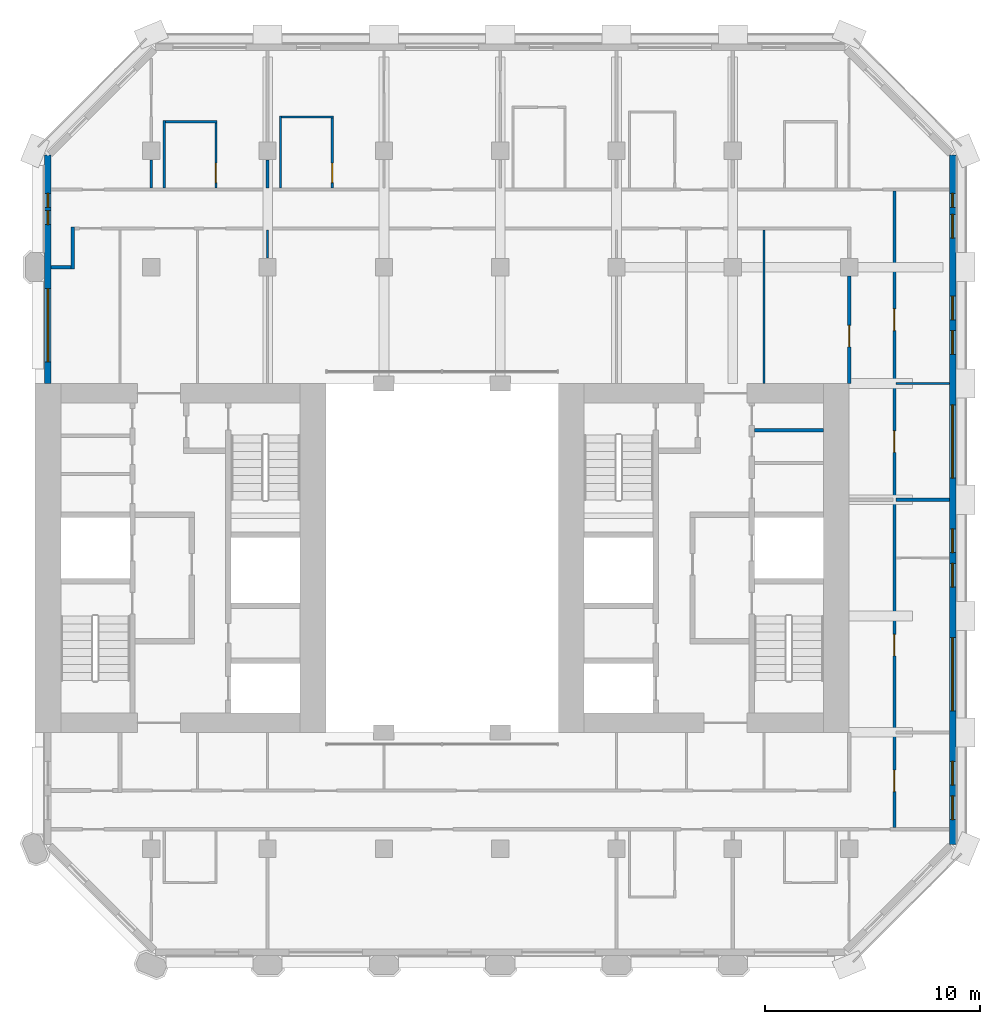
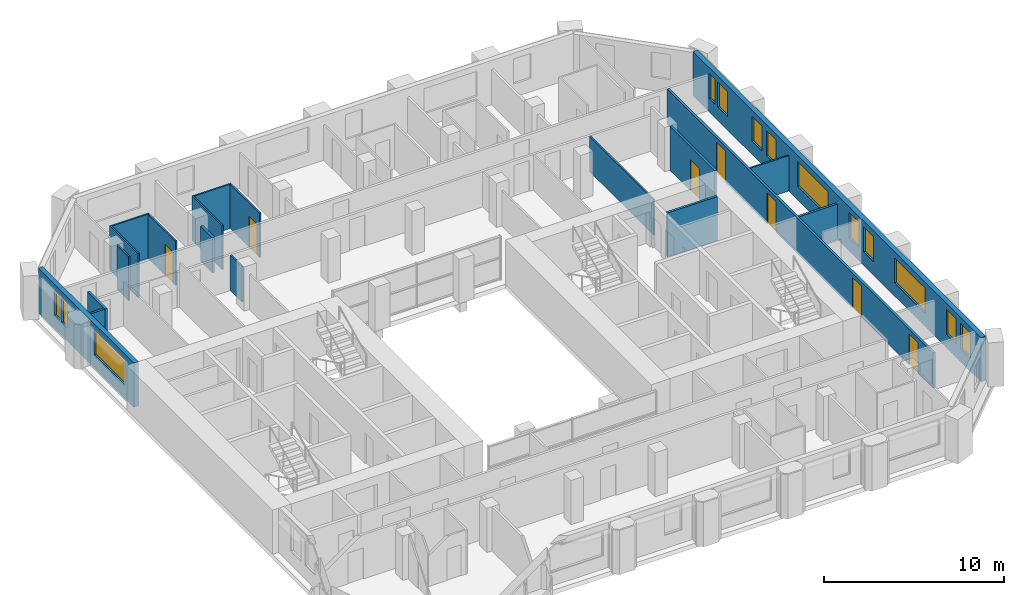
# One storey, part 7 of 12: 19 walls, 13 windows, 7 doors, 20 openings.
"""IFC4 building model written with IfcOpenShell, lengths in metres."""

from ifc_helpers import new_model, si_unit, direction, frame, frame_2d, origin, place, context, subcontext, project, spatial, rectangle, extrude, material, layer, layer_set, type_object, element, fill, save


model = new_model("IFC4")

# Units and contexts
model_context = context("Model", 3, precision=1e-05, world=origin(), true_north=direction((0.0, 1.0)))
body_context = subcontext(model_context, "Body", "Model", "MODEL_VIEW")
ifc_project = project(units=[si_unit("LENGTHUNIT", "METRE"), si_unit("AREAUNIT", "SQUARE_METRE"), si_unit("VOLUMEUNIT", "CUBIC_METRE"), si_unit("PLANEANGLEUNIT", "RADIAN"), si_unit("MASSUNIT", "GRAM", prefix="KILO")], contexts=[model_context])

# Site, building, storey
site_placement = place(None, origin())
site = spatial("IfcSite", under=ifc_project, at=site_placement, CompositionType="ELEMENT")
building_placement = place(site_placement, origin())
building = spatial("IfcBuilding", under=site, at=building_placement, Name="Tabaq Tower and Sports Hall", CompositionType="ELEMENT")
storey_placement = place(building_placement, frame((0.0, 0.0, 190.60009765625)))
storey = spatial("IfcBuildingStorey", under=building, at=storey_placement, Name="L46", CompositionType="ELEMENT", Elevation=190.60009765625)

# Walls
ifc_material_1 = material(Name="Blockwork", Category="masonry")
ifc_layer_1 = layer(ifc_material_1, 0.14990234375)
ifc_layer_set_1 = layer_set([ifc_layer_1], Name="Core room partition 150 Blockwork")
wall_type_1 = type_object("IfcWallType", Name="Core room partition 150 Blockwork", PredefinedType="PARTITIONING", material=ifc_layer_set_1)
wall_1_placement = place(storey_placement, frame((38.800048828125, 30.23193359375, 0.0), z_axis=(0.0, 0.0, 1.0), x_axis=(1.0, 0.0, 0.0)))
element("IfcWall", 1, at=wall_1_placement, inside=storey, type_object=wall_type_1, Name="Core room partition E L46", PredefinedType="PARTITIONING", context=body_context, shape_type="SweptSolid", body=[
    extrude(rectangle(XDim=3.199951171875, YDim=0.14990234375, at=frame_2d((1.60009765625, 0.0))), origin(), (0.0, 0.0, 1.0), 3.0),
])
ifc_material_2 = material(Name="Gypsum board on steel studs", Category="steel")
ifc_layer_2 = layer(ifc_material_2, 0.10009765625)
ifc_layer_set_2 = layer_set([ifc_layer_2], Name="Partition 100 Gypsum board")
wall_type_2 = type_object("IfcWallType", Name="Partition 100 Gypsum board", PredefinedType="PARTITIONING", material=ifc_layer_set_2)
wall_2_placement = place(storey_placement, frame((45.375, 32.39990234375, 0.0), z_axis=(0.0, 0.0, 1.0), x_axis=(1.0, 0.0, 0.0)))
element("IfcWall", 2, at=wall_2_placement, inside=storey, type_object=wall_type_2, Name="Partition wall L46", PredefinedType="PARTITIONING", context=body_context, shape_type="SweptSolid", body=[
    extrude(rectangle(XDim=2.47412109375, YDim=0.10009765625, at=frame_2d((1.237060546875, 0.0))), origin(), (0.0, 0.0, 1.0), 2.39990234375),
])
wall_3_placement = place(storey_placement, frame((10.800048828125, 42.780029296875, 0.0), z_axis=(0.0, 0.0, 1.0), x_axis=(0.0, -1.0, 0.0)))
element("IfcWall", 3, at=wall_3_placement, inside=storey, type_object=wall_type_2, Name="Partition wall L46", PredefinedType="PARTITIONING", context=body_context, shape_type="SweptSolid", body=[
    extrude(rectangle(XDim=1.304931640625, YDim=0.10009765625, at=frame_2d((0.65234375, 0.0))), origin(), (0.0, 0.0, 1.0), 3.0),
])
wall_4_placement = place(storey_placement, frame((11.39990234375, 41.47509765625, 0.0), z_axis=(0.0, 0.0, 1.0), x_axis=(0.0, 1.0, 0.0)))
element("IfcWall", 4, at=wall_4_placement, inside=storey, type_object=wall_type_2, Name="Partition wall L46", PredefinedType="PARTITIONING", context=body_context, shape_type="SweptSolid", body=[
    extrude(rectangle(XDim=3.125, YDim=0.10009765625, at=frame_2d((1.5625, 0.0))), origin(), (0.0, 0.0, 1.0), 3.0),
])
wall_5_placement = place(storey_placement, frame((11.449951171875, 44.550048828125, 0.0), z_axis=(0.0, 0.0, 1.0), x_axis=(1.0, 0.0, 0.0)))
element("IfcWall", 5, at=wall_5_placement, inside=storey, type_object=wall_type_2, Name="Partition wall L46", PredefinedType="PARTITIONING", context=body_context, shape_type="SweptSolid", body=[
    extrude(rectangle(XDim=2.400146484375, YDim=0.10009765625, at=frame_2d((1.2001953125, 0.0))), origin(), (0.0, 0.0, 1.0), 3.0),
])

# Wall, opening, door
wall_6_placement = place(storey_placement, frame((13.800048828125, 44.5, 0.0), z_axis=(0.0, 0.0, 1.0), x_axis=(0.0, -1.0, 0.0)))
wall_6 = element("IfcWall", 6, at=wall_6_placement, inside=storey, type_object=wall_type_2, Name="Partition wall L46", PredefinedType="PARTITIONING", context=body_context, shape_type="SweptSolid", body=[
    extrude(rectangle(XDim=3.02490234375, YDim=0.10009765625, at=frame_2d((1.512451171875, 0.0))), origin(), (0.0, 0.0, 1.0), 3.0),
])
opening_1_placement = place(wall_6_placement, frame((1.875, 0.0, 0.0)))
opening_1 = element("IfcOpeningElement", 7, at=opening_1_placement, cuts=wall_6, Name="Opening L46-002", PredefinedType="OPENING", context=body_context, shape_type="SweptSolid", body=[
    extrude(rectangle(XDim=0.89990234375, YDim=2.10009765625, at=frame_2d((0.449951171875, 1.050048828125))), frame((0.0, 0.050048828125, 0.0), z_axis=(0.0, -1.0, 0.0), x_axis=(1.0, 0.0, 0.0)), (0.0, 0.0, 1.0), 0.10009765625),
])
ifc_material_3 = material(Name="Timber leaf in steel frame", Category="steel")
door_type_1 = type_object("IfcDoorType", Name="Internal door 900 left hand", OperationType="SINGLE_SWING_LEFT", PredefinedType="DOOR", material=ifc_material_3)
door_1_placement = place(opening_1_placement, origin())
door_1 = element("IfcDoor", 8, at=door_1_placement, inside=storey, type_object=door_type_1, Name="Internal door L46-002", OperationType="SINGLE_SWING_LEFT", OverallHeight=2.10009765625, OverallWidth=0.89990234375, PredefinedType="DOOR", context=body_context, shape_type="SweptSolid", body=[
    extrude(rectangle(XDim=0.89990234375, YDim=2.10009765625, at=frame_2d((0.449951171875, 1.050048828125))), frame((0.0, 0.02490234375, 0.0), z_axis=(0.0, -1.0, 0.0), x_axis=(1.0, 0.0, 0.0)), (0.0, 0.0, 1.0), 0.050048828125),
])
fill(opening_1, door_1)

# Walls
wall_7_placement = place(storey_placement, frame((16.800048828125, 41.47509765625, 0.0), z_axis=(0.0, 0.0, 1.0), x_axis=(0.0, 1.0, 0.0)))
element("IfcWall", 9, at=wall_7_placement, inside=storey, type_object=wall_type_2, Name="Partition wall L46", PredefinedType="PARTITIONING", context=body_context, shape_type="SweptSolid", body=[
    extrude(rectangle(XDim=3.349853515625, YDim=0.10009765625, at=frame_2d((1.6748046875, 0.0))), origin(), (0.0, 0.0, 1.0), 3.0),
])
wall_8_placement = place(storey_placement, frame((16.85009765625, 44.77490234375, 0.0), z_axis=(0.0, 0.0, 1.0), x_axis=(1.0, 0.0, 0.0)))
element("IfcWall", 10, at=wall_8_placement, inside=storey, type_object=wall_type_2, Name="Partition wall L46", PredefinedType="PARTITIONING", context=body_context, shape_type="SweptSolid", body=[
    extrude(rectangle(XDim=2.39990234375, YDim=0.10009765625, at=frame_2d((1.199951171875, 0.0))), origin(), (0.0, 0.0, 1.0), 3.0),
])

# Wall, opening, door
wall_9_placement = place(storey_placement, frame((19.199951171875, 44.72509765625, 0.0), z_axis=(0.0, 0.0, 1.0), x_axis=(0.0, -1.0, 0.0)))
wall_9 = element("IfcWall", 11, at=wall_9_placement, inside=storey, type_object=wall_type_2, Name="Partition wall L46", PredefinedType="PARTITIONING", context=body_context, shape_type="SweptSolid", body=[
    extrude(rectangle(XDim=3.25, YDim=0.10009765625, at=frame_2d((1.625, 0.0))), origin(), (0.0, 0.0, 1.0), 3.0),
])
opening_2_placement = place(wall_9_placement, frame((2.10009765625, 0.0, 0.0)))
opening_2 = element("IfcOpeningElement", 12, at=opening_2_placement, cuts=wall_9, Name="Opening L46-003", PredefinedType="OPENING", context=body_context, shape_type="SweptSolid", body=[
    extrude(rectangle(XDim=0.89990234375, YDim=2.10009765625, at=frame_2d((0.449951171875, 1.050048828125))), frame((0.0, 0.050048828125, 0.0), z_axis=(0.0, -1.0, 0.0), x_axis=(1.0, 0.0, 0.0)), (0.0, 0.0, 1.0), 0.10009765625),
])
door_2_placement = place(opening_2_placement, origin())
door_2 = element("IfcDoor", 13, at=door_2_placement, inside=storey, type_object=door_type_1, Name="Internal door L46-003", OperationType="SINGLE_SWING_LEFT", OverallHeight=2.10009765625, OverallWidth=0.89990234375, PredefinedType="DOOR", context=body_context, shape_type="SweptSolid", body=[
    extrude(rectangle(XDim=0.89990234375, YDim=2.10009765625, at=frame_2d((0.449951171875, 1.050048828125))), frame((0.0, 0.02490234375, 0.0), z_axis=(0.0, -1.0, 0.0), x_axis=(1.0, 0.0, 0.0)), (0.0, 0.0, 1.0), 0.050048828125),
])
fill(opening_2, door_2)

# Walls
wall_10_placement = place(storey_placement, frame((16.199951171875, 39.52490234375, 0.0), z_axis=(0.0, 0.0, 1.0), x_axis=(0.0, -1.0, 0.0)))
element("IfcWall", 14, at=wall_10_placement, inside=storey, type_object=wall_type_2, Name="Partition wall L46", PredefinedType="PARTITIONING", context=body_context, shape_type="SweptSolid", body=[
    extrude(rectangle(XDim=1.304931640625, YDim=0.10009765625, at=frame_2d((0.65234375, 0.0))), origin(), (0.0, 0.0, 1.0), 2.39990234375),
])
wall_11_placement = place(storey_placement, frame((39.25, 32.39990234375, 0.0), z_axis=(0.0, 0.0, 1.0), x_axis=(0.0, 1.0, 0.0)))
element("IfcWall", 15, at=wall_11_placement, inside=storey, type_object=wall_type_2, Name="Partition wall L46", PredefinedType="PARTITIONING", context=body_context, shape_type="SweptSolid", body=[
    extrude(rectangle(XDim=7.125, YDim=0.10009765625, at=frame_2d((3.5625, 0.0))), origin(), (0.0, 0.0, 1.0), 2.39990234375),
])
ifc_material_4 = material(Name="Blockwork", Category="masonry")
ifc_layer_3 = layer(ifc_material_4, 0.14990234375)
ifc_layer_set_3 = layer_set([ifc_layer_3], Name="Separating wall 150 Blockwork")
wall_type_3 = type_object("IfcWallType", Name="Separating wall 150 Blockwork", PredefinedType="PARTITIONING", material=ifc_layer_set_3)
wall_12_placement = place(storey_placement, frame((16.199951171875, 41.47509765625, 0.0), z_axis=(0.0, 0.0, 1.0), x_axis=(0.0, 1.0, 0.0)))
element("IfcWall", 16, at=wall_12_placement, inside=storey, type_object=wall_type_3, Name="Separating wall L46", PredefinedType="PARTITIONING", context=body_context, shape_type="SweptSolid", body=[
    extrude(rectangle(XDim=1.304931640625, YDim=0.14990234375, at=frame_2d((0.65234375, 0.0))), origin(), (0.0, 0.0, 1.0), 2.39990234375),
])
wall_13_placement = place(storey_placement, frame((45.375, 27.0, 0.0), z_axis=(0.0, 0.0, 1.0), x_axis=(1.0, 0.0, 0.0)))
element("IfcWall", 17, at=wall_13_placement, inside=storey, type_object=wall_type_3, Name="Separating wall L46", PredefinedType="PARTITIONING", context=body_context, shape_type="SweptSolid", body=[
    extrude(rectangle(XDim=2.47412109375, YDim=0.14990234375, at=frame_2d((1.237060546875, 0.0))), origin(), (0.0, 0.0, 1.0), 2.39990234375),
])
wall_14_placement = place(storey_placement, frame((7.15087890625, 39.675048828125, 0.0), z_axis=(0.0, 0.0, 1.0), x_axis=(-0.00050081376, -0.999999874593, 0.0)))
element("IfcWall", 18, at=wall_14_placement, inside=storey, type_object=wall_type_3, Name="Separating wall L46", PredefinedType="PARTITIONING", context=body_context, shape_type="SweptSolid", body=[
    extrude(rectangle(XDim=1.949951171875, YDim=0.14990234375, at=frame_2d((0.97509765625, 0.0))), origin(), (0.0, 0.0, 1.0), 3.0),
])
wall_15_placement = place(storey_placement, frame((7.074951171875, 37.800048828125, 0.0), z_axis=(0.0, 0.0, 1.0), x_axis=(-1.0, 0.0, 0.0)))
element("IfcWall", 19, at=wall_15_placement, inside=storey, type_object=wall_type_3, Name="Separating wall L46", PredefinedType="PARTITIONING", context=body_context, shape_type="SweptSolid", body=[
    extrude(rectangle(XDim=0.925048828125, YDim=0.14990234375, at=frame_2d((0.46240234375, 0.0))), origin(), (0.0, 0.0, 1.0), 3.0),
])

# Wall, opening, door
wall_16_placement = place(storey_placement, frame((43.199951171875, 37.3798828125, 0.0), z_axis=(0.0, 0.0, 1.0), x_axis=(0.0, -1.0, 0.0)))
wall_16 = element("IfcWall", 20, at=wall_16_placement, inside=storey, type_object=wall_type_3, Name="Separating wall L46", PredefinedType="PARTITIONING", context=body_context, shape_type="SweptSolid", body=[
    extrude(rectangle(XDim=4.97998046875, YDim=0.14990234375, at=frame_2d((2.489990234375, 0.0))), origin(), (0.0, 0.0, 1.0), 3.0),
])
opening_3_placement = place(wall_16_placement, frame((2.280029296875, 0.0, 0.0)))
opening_3 = element("IfcOpeningElement", 21, at=opening_3_placement, cuts=wall_16, Name="Opening L46-011", PredefinedType="OPENING", context=body_context, shape_type="SweptSolid", body=[
    extrude(rectangle(XDim=1.0, YDim=2.10009765625, at=frame_2d((0.5, 1.050048828125))), frame((0.0, 0.074951171875, 0.0), z_axis=(0.0, -1.0, 0.0), x_axis=(1.0, 0.0, 0.0)), (0.0, 0.0, 1.0), 0.14990234375),
])
ifc_material_5 = material(Name="Timber leaf in steel frame", Category="steel")
door_type_2 = type_object("IfcDoorType", Name="Internal door 1000 left hand", OperationType="SINGLE_SWING_LEFT", PredefinedType="DOOR", material=ifc_material_5)
door_3_placement = place(opening_3_placement, origin())
door_3 = element("IfcDoor", 22, at=door_3_placement, inside=storey, type_object=door_type_2, Name="Internal door L46-011", OperationType="SINGLE_SWING_LEFT", OverallHeight=2.10009765625, OverallWidth=1.0, PredefinedType="DOOR", context=body_context, shape_type="SweptSolid", body=[
    extrude(rectangle(XDim=1.0, YDim=2.10009765625, at=frame_2d((0.5, 1.050048828125))), frame((0.0, 0.02490234375, 0.0), z_axis=(0.0, -1.0, 0.0), x_axis=(1.0, 0.0, 0.0)), (0.0, 0.0, 1.0), 0.050048828125),
])
fill(opening_3, door_3)

# Wall, openings, doors
wall_17_placement = place(storey_placement, frame((45.300048828125, 41.324951171875, 0.0), z_axis=(0.0, 0.0, 1.0), x_axis=(0.0, -1.0, 0.0)))
wall_17 = element("IfcWall", 23, at=wall_17_placement, inside=storey, type_object=wall_type_3, Name="Separating wall L46", PredefinedType="PARTITIONING", context=body_context, shape_type="SweptSolid", body=[
    extrude(rectangle(XDim=29.550048828125, YDim=0.14990234375, at=frame_2d((14.77490234375, 0.0))), origin(), (0.0, 0.0, 1.0), 2.39990234375),
])
opening_4_placement = place(wall_17_placement, frame((5.467041015625, 0.0, 0.0)))
opening_4 = element("IfcOpeningElement", 24, at=opening_4_placement, cuts=wall_17, Name="Opening L46-001", PredefinedType="OPENING", context=body_context, shape_type="SweptSolid", body=[
    extrude(rectangle(XDim=1.0, YDim=2.10009765625, at=frame_2d((0.5, 1.050048828125))), frame((0.0, 0.074951171875, 0.0), z_axis=(0.0, -1.0, 0.0), x_axis=(1.0, 0.0, 0.0)), (0.0, 0.0, 1.0), 0.14990234375),
])
opening_5_placement = place(wall_17_placement, frame((11.125, 0.0, 0.0)))
opening_5 = element("IfcOpeningElement", 25, at=opening_5_placement, cuts=wall_17, Name="Opening L46-008", PredefinedType="OPENING", context=body_context, shape_type="SweptSolid", body=[
    extrude(rectangle(XDim=1.0, YDim=2.10009765625, at=frame_2d((0.5, 1.050048828125))), frame((0.0, 0.074951171875, 0.0), z_axis=(0.0, -1.0, 0.0), x_axis=(1.0, 0.0, 0.0)), (0.0, 0.0, 1.0), 0.14990234375),
])
opening_6_placement = place(wall_17_placement, frame((26.875, 0.0, 0.0)))
opening_6 = element("IfcOpeningElement", 26, at=opening_6_placement, cuts=wall_17, Name="Opening L46-013", PredefinedType="OPENING", context=body_context, shape_type="SweptSolid", body=[
    extrude(rectangle(XDim=1.0, YDim=2.10009765625, at=frame_2d((0.5, 1.050048828125))), frame((0.0, 0.074951171875, 0.0), z_axis=(0.0, -1.0, 0.0), x_axis=(1.0, 0.0, 0.0)), (0.0, 0.0, 1.0), 0.14990234375),
])
opening_7_placement = place(wall_17_placement, frame((20.574951171875, 0.0, 0.0)))
opening_7 = element("IfcOpeningElement", 27, at=opening_7_placement, cuts=wall_17, Name="Opening L46-039", PredefinedType="OPENING", context=body_context, shape_type="SweptSolid", body=[
    extrude(rectangle(XDim=1.0, YDim=2.10009765625, at=frame_2d((0.5, 1.050048828125))), frame((0.0, 0.074951171875, 0.0), z_axis=(0.0, -1.0, 0.0), x_axis=(1.0, 0.0, 0.0)), (0.0, 0.0, 1.0), 0.14990234375),
])
ifc_material_6 = material(Name="Steel fire door", Category="steel")
door_type_3 = type_object("IfcDoorType", Name="Entrance door 1000 left hand", OperationType="SINGLE_SWING_LEFT", PredefinedType="DOOR", material=ifc_material_6)
door_4_placement = place(opening_7_placement, origin())
door_4 = element("IfcDoor", 28, at=door_4_placement, inside=storey, type_object=door_type_3, Name="Entrance door L46-039", OperationType="SINGLE_SWING_LEFT", OverallHeight=2.10009765625, OverallWidth=1.0, PredefinedType="DOOR", context=body_context, shape_type="SweptSolid", body=[
    extrude(rectangle(XDim=1.0, YDim=2.10009765625, at=frame_2d((0.5, 1.050048828125))), frame((0.0, 0.02490234375, 0.0), z_axis=(0.0, -1.0, 0.0), x_axis=(1.0, 0.0, 0.0)), (0.0, 0.0, 1.0), 0.050048828125),
])
fill(opening_7, door_4)
door_5_placement = place(opening_4_placement, origin())
door_5 = element("IfcDoor", 29, at=door_5_placement, inside=storey, type_object=door_type_2, Name="Internal door L46-001", OperationType="SINGLE_SWING_LEFT", OverallHeight=2.10009765625, OverallWidth=1.0, PredefinedType="DOOR", context=body_context, shape_type="SweptSolid", body=[
    extrude(rectangle(XDim=1.0, YDim=2.10009765625, at=frame_2d((0.5, 1.050048828125))), frame((0.0, 0.02490234375, 0.0), z_axis=(0.0, -1.0, 0.0), x_axis=(1.0, 0.0, 0.0)), (0.0, 0.0, 1.0), 0.050048828125),
])
fill(opening_4, door_5)
door_6_placement = place(opening_6_placement, origin())
door_6 = element("IfcDoor", 30, at=door_6_placement, inside=storey, type_object=door_type_2, Name="Internal door L46-013", OperationType="SINGLE_SWING_LEFT", OverallHeight=2.10009765625, OverallWidth=1.0, PredefinedType="DOOR", context=body_context, shape_type="SweptSolid", body=[
    extrude(rectangle(XDim=1.0, YDim=2.10009765625, at=frame_2d((0.5, 1.050048828125))), frame((0.0, 0.02490234375, 0.0), z_axis=(0.0, -1.0, 0.0), x_axis=(1.0, 0.0, 0.0)), (0.0, 0.0, 1.0), 0.050048828125),
])
fill(opening_6, door_6)
ifc_material_7 = material(Name="Timber leaf in steel frame", Category="steel")
door_type_4 = type_object("IfcDoorType", Name="Internal door 1000 right hand", OperationType="SINGLE_SWING_RIGHT", PredefinedType="DOOR", material=ifc_material_7)
door_7_placement = place(opening_5_placement, origin())
door_7 = element("IfcDoor", 31, at=door_7_placement, inside=storey, type_object=door_type_4, Name="Internal door L46-008", OperationType="SINGLE_SWING_RIGHT", OverallHeight=2.10009765625, OverallWidth=1.0, PredefinedType="DOOR", context=body_context, shape_type="SweptSolid", body=[
    extrude(rectangle(XDim=1.0, YDim=2.10009765625, at=frame_2d((0.5, 1.050048828125))), frame((0.0, 0.02490234375, 0.0), z_axis=(0.0, -1.0, 0.0), x_axis=(1.0, 0.0, 0.0)), (0.0, 0.0, 1.0), 0.050048828125),
])
fill(opening_5, door_7)

# Wall, openings, windows
ifc_material_8 = material(Name="White precast concrete C60/75", Category="concrete")
ifc_layer_4 = layer(ifc_material_8, 0.300048828125)
ifc_layer_set_4 = layer_set([ifc_layer_4], Name="White precast concrete C60/75 external wall 300")
wall_type_4 = type_object("IfcWallType", Name="White precast concrete C60/75 external wall 300", PredefinedType="SOLIDWALL", material=ifc_layer_set_4)
wall_18_placement = place(storey_placement, frame((48.0, 10.986328125, 0.0), z_axis=(0.0, 0.0, 1.0), x_axis=(0.0, 1.0, 0.0)))
wall_18 = element("IfcWall", 32, at=wall_18_placement, inside=storey, type_object=wall_type_4, Name="External Wall L46 E", PredefinedType="SOLIDWALL", context=body_context, shape_type="SweptSolid", body=[
    extrude(rectangle(XDim=32.02734375, YDim=0.300048828125, at=frame_2d((16.013671875, 0.0))), origin(), (0.0, 0.0, 1.0), 3.0),
])
opening_8_placement = place(wall_18_placement, frame((1.16357421875, 0.0, 0.89990234375)))
opening_8 = element("IfcOpeningElement", 33, at=opening_8_placement, cuts=wall_18, Name="Opening W1B", PredefinedType="OPENING", context=body_context, shape_type="SweptSolid", body=[
    extrude(rectangle(XDim=1.10009765625, YDim=1.699951171875, at=frame_2d((0.550048828125, 0.85009765625))), frame((0.0, 0.16015625, 0.0), z_axis=(0.0, -1.0, 0.0), x_axis=(1.0, 0.0, 0.0)), (0.0, 0.0, 1.0), 0.320068359375),
])
opening_9_placement = place(wall_18_placement, frame((2.763671875, 0.0, 0.89990234375)))
opening_9 = element("IfcOpeningElement", 34, at=opening_9_placement, cuts=wall_18, Name="Opening W1B", PredefinedType="OPENING", context=body_context, shape_type="SweptSolid", body=[
    extrude(rectangle(XDim=1.10009765625, YDim=1.699951171875, at=frame_2d((0.550048828125, 0.85009765625))), frame((0.0, 0.16015625, 0.0), z_axis=(0.0, -1.0, 0.0), x_axis=(1.0, 0.0, 0.0)), (0.0, 0.0, 1.0), 0.320068359375),
])
opening_10_placement = place(wall_18_placement, frame((6.213623046875, 0.0, 0.89990234375)))
opening_10 = element("IfcOpeningElement", 35, at=opening_10_placement, cuts=wall_18, Name="Opening W1A", PredefinedType="OPENING", context=body_context, shape_type="SweptSolid", body=[
    extrude(rectangle(XDim=3.39990234375, YDim=1.699951171875, at=frame_2d((1.699951171875, 0.85009765625))), frame((0.0, 0.16015625, 0.0), z_axis=(0.0, -1.0, 0.0), x_axis=(1.0, 0.0, 0.0)), (0.0, 0.0, 1.0), 0.320068359375),
])
opening_11_placement = place(wall_18_placement, frame((11.963623046875, 0.0, 0.89990234375)))
opening_11 = element("IfcOpeningElement", 36, at=opening_11_placement, cuts=wall_18, Name="Opening W1B", PredefinedType="OPENING", context=body_context, shape_type="SweptSolid", body=[
    extrude(rectangle(XDim=1.10009765625, YDim=1.699951171875, at=frame_2d((0.550048828125, 0.85009765625))), frame((0.0, 0.16015625, 0.0), z_axis=(0.0, -1.0, 0.0), x_axis=(1.0, 0.0, 0.0)), (0.0, 0.0, 1.0), 0.320068359375),
])
opening_12_placement = place(wall_18_placement, frame((13.563720703125, 0.0, 0.89990234375)))
opening_12 = element("IfcOpeningElement", 37, at=opening_12_placement, cuts=wall_18, Name="Opening W1B", PredefinedType="OPENING", context=body_context, shape_type="SweptSolid", body=[
    extrude(rectangle(XDim=1.10009765625, YDim=1.699951171875, at=frame_2d((0.550048828125, 0.85009765625))), frame((0.0, 0.16015625, 0.0), z_axis=(0.0, -1.0, 0.0), x_axis=(1.0, 0.0, 0.0)), (0.0, 0.0, 1.0), 0.320068359375),
])
opening_13_placement = place(wall_18_placement, frame((17.013671875, 0.0, 0.89990234375)))
opening_13 = element("IfcOpeningElement", 38, at=opening_13_placement, cuts=wall_18, Name="Opening W1A", PredefinedType="OPENING", context=body_context, shape_type="SweptSolid", body=[
    extrude(rectangle(XDim=3.39990234375, YDim=1.699951171875, at=frame_2d((1.699951171875, 0.85009765625))), frame((0.0, 0.16015625, 0.0), z_axis=(0.0, -1.0, 0.0), x_axis=(1.0, 0.0, 0.0)), (0.0, 0.0, 1.0), 0.320068359375),
])
opening_14_placement = place(wall_18_placement, frame((22.763671875, 0.0, 0.89990234375)))
opening_14 = element("IfcOpeningElement", 39, at=opening_14_placement, cuts=wall_18, Name="Opening W1B", PredefinedType="OPENING", context=body_context, shape_type="SweptSolid", body=[
    extrude(rectangle(XDim=1.10009765625, YDim=1.699951171875, at=frame_2d((0.550048828125, 0.85009765625))), frame((0.0, 0.16015625, 0.0), z_axis=(0.0, -1.0, 0.0), x_axis=(1.0, 0.0, 0.0)), (0.0, 0.0, 1.0), 0.320068359375),
])
opening_15_placement = place(wall_18_placement, frame((24.363525390625, 0.0, 0.89990234375)))
opening_15 = element("IfcOpeningElement", 40, at=opening_15_placement, cuts=wall_18, Name="Opening W1B", PredefinedType="OPENING", context=body_context, shape_type="SweptSolid", body=[
    extrude(rectangle(XDim=1.10009765625, YDim=1.699951171875, at=frame_2d((0.550048828125, 0.85009765625))), frame((0.0, 0.16015625, 0.0), z_axis=(0.0, -1.0, 0.0), x_axis=(1.0, 0.0, 0.0)), (0.0, 0.0, 1.0), 0.320068359375),
])
opening_16_placement = place(wall_18_placement, frame((28.16357421875, 0.0, 0.89990234375)))
opening_16 = element("IfcOpeningElement", 41, at=opening_16_placement, cuts=wall_18, Name="Opening W1B", PredefinedType="OPENING", context=body_context, shape_type="SweptSolid", body=[
    extrude(rectangle(XDim=1.10009765625, YDim=1.699951171875, at=frame_2d((0.550048828125, 0.85009765625))), frame((0.0, 0.16015625, 0.0), z_axis=(0.0, -1.0, 0.0), x_axis=(1.0, 0.0, 0.0)), (0.0, 0.0, 1.0), 0.320068359375),
])
opening_17_placement = place(wall_18_placement, frame((29.588623046875, 0.0, 0.89990234375)))
opening_17 = element("IfcOpeningElement", 42, at=opening_17_placement, cuts=wall_18, Name="Opening W1C", PredefinedType="OPENING", context=body_context, shape_type="SweptSolid", body=[
    extrude(rectangle(XDim=0.64990234375, YDim=1.699951171875, at=frame_2d((0.324951171875, 0.85009765625))), frame((0.0, 0.16015625, 0.0), z_axis=(0.0, -1.0, 0.0), x_axis=(1.0, 0.0, 0.0)), (0.0, 0.0, 1.0), 0.320068359375),
])
ifc_material_9 = material(Name="Aluminium framed clear glazing", Category="aluminium")
window_type_1 = type_object("IfcWindowType", Name="Window W1A", PartitioningType="SINGLE_PANEL", PredefinedType="WINDOW", material=ifc_material_9)
window_1_placement = place(opening_10_placement, origin())
window_1 = element("IfcWindow", 43, at=window_1_placement, inside=storey, type_object=window_type_1, Name="Window W1A L46", OverallHeight=1.699951171875, OverallWidth=3.39990234375, PartitioningType="SINGLE_PANEL", PredefinedType="WINDOW", context=body_context, shape_type="SweptSolid", body=[
    extrude(rectangle(XDim=3.39990234375, YDim=1.699951171875, at=frame_2d((1.699951171875, 0.85009765625))), frame((0.0, 0.030029296875, 0.0), z_axis=(0.0, -1.0, 0.0), x_axis=(1.0, 0.0, 0.0)), (0.0, 0.0, 1.0), 0.06005859375),
])
fill(opening_10, window_1)
window_2_placement = place(opening_13_placement, origin())
window_2 = element("IfcWindow", 44, at=window_2_placement, inside=storey, type_object=window_type_1, Name="Window W1A L46", OverallHeight=1.699951171875, OverallWidth=3.39990234375, PartitioningType="SINGLE_PANEL", PredefinedType="WINDOW", context=body_context, shape_type="SweptSolid", body=[
    extrude(rectangle(XDim=3.39990234375, YDim=1.699951171875, at=frame_2d((1.699951171875, 0.85009765625))), frame((0.0, 0.030029296875, 0.0), z_axis=(0.0, -1.0, 0.0), x_axis=(1.0, 0.0, 0.0)), (0.0, 0.0, 1.0), 0.06005859375),
])
fill(opening_13, window_2)
ifc_material_10 = material(Name="Aluminium framed clear glazing", Category="aluminium")
window_type_2 = type_object("IfcWindowType", Name="Window W1B", PartitioningType="SINGLE_PANEL", PredefinedType="WINDOW", material=ifc_material_10)
window_3_placement = place(opening_8_placement, origin())
window_3 = element("IfcWindow", 45, at=window_3_placement, inside=storey, type_object=window_type_2, Name="Window W1B L46", OverallHeight=1.699951171875, OverallWidth=1.10009765625, PartitioningType="SINGLE_PANEL", PredefinedType="WINDOW", context=body_context, shape_type="SweptSolid", body=[
    extrude(rectangle(XDim=1.10009765625, YDim=1.699951171875, at=frame_2d((0.550048828125, 0.85009765625))), frame((0.0, 0.030029296875, 0.0), z_axis=(0.0, -1.0, 0.0), x_axis=(1.0, 0.0, 0.0)), (0.0, 0.0, 1.0), 0.06005859375),
])
fill(opening_8, window_3)
window_4_placement = place(opening_9_placement, origin())
window_4 = element("IfcWindow", 46, at=window_4_placement, inside=storey, type_object=window_type_2, Name="Window W1B L46", OverallHeight=1.699951171875, OverallWidth=1.10009765625, PartitioningType="SINGLE_PANEL", PredefinedType="WINDOW", context=body_context, shape_type="SweptSolid", body=[
    extrude(rectangle(XDim=1.10009765625, YDim=1.699951171875, at=frame_2d((0.550048828125, 0.85009765625))), frame((0.0, 0.030029296875, 0.0), z_axis=(0.0, -1.0, 0.0), x_axis=(1.0, 0.0, 0.0)), (0.0, 0.0, 1.0), 0.06005859375),
])
fill(opening_9, window_4)
window_5_placement = place(opening_11_placement, origin())
window_5 = element("IfcWindow", 47, at=window_5_placement, inside=storey, type_object=window_type_2, Name="Window W1B L46", OverallHeight=1.699951171875, OverallWidth=1.10009765625, PartitioningType="SINGLE_PANEL", PredefinedType="WINDOW", context=body_context, shape_type="SweptSolid", body=[
    extrude(rectangle(XDim=1.10009765625, YDim=1.699951171875, at=frame_2d((0.550048828125, 0.85009765625))), frame((0.0, 0.030029296875, 0.0), z_axis=(0.0, -1.0, 0.0), x_axis=(1.0, 0.0, 0.0)), (0.0, 0.0, 1.0), 0.06005859375),
])
fill(opening_11, window_5)
window_6_placement = place(opening_12_placement, origin())
window_6 = element("IfcWindow", 48, at=window_6_placement, inside=storey, type_object=window_type_2, Name="Window W1B L46", OverallHeight=1.699951171875, OverallWidth=1.10009765625, PartitioningType="SINGLE_PANEL", PredefinedType="WINDOW", context=body_context, shape_type="SweptSolid", body=[
    extrude(rectangle(XDim=1.10009765625, YDim=1.699951171875, at=frame_2d((0.550048828125, 0.85009765625))), frame((0.0, 0.030029296875, 0.0), z_axis=(0.0, -1.0, 0.0), x_axis=(1.0, 0.0, 0.0)), (0.0, 0.0, 1.0), 0.06005859375),
])
fill(opening_12, window_6)
window_7_placement = place(opening_14_placement, origin())
window_7 = element("IfcWindow", 49, at=window_7_placement, inside=storey, type_object=window_type_2, Name="Window W1B L46", OverallHeight=1.699951171875, OverallWidth=1.10009765625, PartitioningType="SINGLE_PANEL", PredefinedType="WINDOW", context=body_context, shape_type="SweptSolid", body=[
    extrude(rectangle(XDim=1.10009765625, YDim=1.699951171875, at=frame_2d((0.550048828125, 0.85009765625))), frame((0.0, 0.030029296875, 0.0), z_axis=(0.0, -1.0, 0.0), x_axis=(1.0, 0.0, 0.0)), (0.0, 0.0, 1.0), 0.06005859375),
])
fill(opening_14, window_7)
window_8_placement = place(opening_15_placement, origin())
window_8 = element("IfcWindow", 50, at=window_8_placement, inside=storey, type_object=window_type_2, Name="Window W1B L46", OverallHeight=1.699951171875, OverallWidth=1.10009765625, PartitioningType="SINGLE_PANEL", PredefinedType="WINDOW", context=body_context, shape_type="SweptSolid", body=[
    extrude(rectangle(XDim=1.10009765625, YDim=1.699951171875, at=frame_2d((0.550048828125, 0.85009765625))), frame((0.0, 0.030029296875, 0.0), z_axis=(0.0, -1.0, 0.0), x_axis=(1.0, 0.0, 0.0)), (0.0, 0.0, 1.0), 0.06005859375),
])
fill(opening_15, window_8)
window_9_placement = place(opening_16_placement, origin())
window_9 = element("IfcWindow", 51, at=window_9_placement, inside=storey, type_object=window_type_2, Name="Window W1B L46", OverallHeight=1.699951171875, OverallWidth=1.10009765625, PartitioningType="SINGLE_PANEL", PredefinedType="WINDOW", context=body_context, shape_type="SweptSolid", body=[
    extrude(rectangle(XDim=1.10009765625, YDim=1.699951171875, at=frame_2d((0.550048828125, 0.85009765625))), frame((0.0, 0.030029296875, 0.0), z_axis=(0.0, -1.0, 0.0), x_axis=(1.0, 0.0, 0.0)), (0.0, 0.0, 1.0), 0.06005859375),
])
fill(opening_16, window_9)
ifc_material_11 = material(Name="Aluminium framed clear glazing", Category="aluminium")
window_type_3 = type_object("IfcWindowType", Name="Window W1C", PartitioningType="SINGLE_PANEL", PredefinedType="WINDOW", material=ifc_material_11)
window_10_placement = place(opening_17_placement, origin())
window_10 = element("IfcWindow", 52, at=window_10_placement, inside=storey, type_object=window_type_3, Name="Window W1C L46", OverallHeight=1.699951171875, OverallWidth=0.64990234375, PartitioningType="SINGLE_PANEL", PredefinedType="WINDOW", context=body_context, shape_type="SweptSolid", body=[
    extrude(rectangle(XDim=0.64990234375, YDim=1.699951171875, at=frame_2d((0.324951171875, 0.85009765625))), frame((0.0, 0.030029296875, 0.0), z_axis=(0.0, -1.0, 0.0), x_axis=(1.0, 0.0, 0.0)), (0.0, 0.0, 1.0), 0.06005859375),
])
fill(opening_17, window_10)

wall_19_placement = place(storey_placement, frame((6.0, 43.013671875, 0.0), z_axis=(0.0, 0.0, 1.0), x_axis=(0.0, -1.0, 0.0)))
wall_19 = element("IfcWall", 53, at=wall_19_placement, inside=storey, type_object=wall_type_4, Name="External Wall L46 W", PredefinedType="SOLIDWALL", context=body_context, shape_type="SweptSolid", body=[
    extrude(rectangle(XDim=10.61376953125, YDim=0.300048828125, at=frame_2d((5.306884765625, 0.0))), origin(), (0.0, 0.0, 1.0), 3.0),
])
opening_18_placement = place(wall_19_placement, frame((1.78857421875, 0.0, 0.89990234375)))
opening_18 = element("IfcOpeningElement", 54, at=opening_18_placement, cuts=wall_19, Name="Opening W1C", PredefinedType="OPENING", context=body_context, shape_type="SweptSolid", body=[
    extrude(rectangle(XDim=0.64990234375, YDim=1.699951171875, at=frame_2d((0.324951171875, 0.85009765625))), frame((0.0, 0.16015625, 0.0), z_axis=(0.0, -1.0, 0.0), x_axis=(1.0, 0.0, 0.0)), (0.0, 0.0, 1.0), 0.320068359375),
])
opening_19_placement = place(wall_19_placement, frame((2.588623046875, 0.0, 0.89990234375)))
opening_19 = element("IfcOpeningElement", 55, at=opening_19_placement, cuts=wall_19, Name="Opening W1C", PredefinedType="OPENING", context=body_context, shape_type="SweptSolid", body=[
    extrude(rectangle(XDim=0.64990234375, YDim=1.699951171875, at=frame_2d((0.324951171875, 0.85009765625))), frame((0.0, 0.16015625, 0.0), z_axis=(0.0, -1.0, 0.0), x_axis=(1.0, 0.0, 0.0)), (0.0, 0.0, 1.0), 0.320068359375),
])
opening_20_placement = place(wall_19_placement, frame((6.213623046875, 0.0, 0.89990234375)))
opening_20 = element("IfcOpeningElement", 56, at=opening_20_placement, cuts=wall_19, Name="Opening W1A", PredefinedType="OPENING", context=body_context, shape_type="SweptSolid", body=[
    extrude(rectangle(XDim=3.39990234375, YDim=1.699951171875, at=frame_2d((1.699951171875, 0.85009765625))), frame((0.0, 0.16015625, 0.0), z_axis=(0.0, -1.0, 0.0), x_axis=(1.0, 0.0, 0.0)), (0.0, 0.0, 1.0), 0.320068359375),
])
window_11_placement = place(opening_20_placement, origin())
window_11 = element("IfcWindow", 57, at=window_11_placement, inside=storey, type_object=window_type_1, Name="Window W1A L46", OverallHeight=1.699951171875, OverallWidth=3.39990234375, PartitioningType="SINGLE_PANEL", PredefinedType="WINDOW", context=body_context, shape_type="SweptSolid", body=[
    extrude(rectangle(XDim=3.39990234375, YDim=1.699951171875, at=frame_2d((1.699951171875, 0.85009765625))), frame((0.0, 0.030029296875, 0.0), z_axis=(0.0, -1.0, 0.0), x_axis=(1.0, 0.0, 0.0)), (0.0, 0.0, 1.0), 0.06005859375),
])
fill(opening_20, window_11)
window_12_placement = place(opening_18_placement, origin())
window_12 = element("IfcWindow", 58, at=window_12_placement, inside=storey, type_object=window_type_3, Name="Window W1C L46", OverallHeight=1.699951171875, OverallWidth=0.64990234375, PartitioningType="SINGLE_PANEL", PredefinedType="WINDOW", context=body_context, shape_type="SweptSolid", body=[
    extrude(rectangle(XDim=0.64990234375, YDim=1.699951171875, at=frame_2d((0.324951171875, 0.85009765625))), frame((0.0, 0.030029296875, 0.0), z_axis=(0.0, -1.0, 0.0), x_axis=(1.0, 0.0, 0.0)), (0.0, 0.0, 1.0), 0.06005859375),
])
fill(opening_18, window_12)
window_13_placement = place(opening_19_placement, origin())
window_13 = element("IfcWindow", 59, at=window_13_placement, inside=storey, type_object=window_type_3, Name="Window W1C L46", OverallHeight=1.699951171875, OverallWidth=0.64990234375, PartitioningType="SINGLE_PANEL", PredefinedType="WINDOW", context=body_context, shape_type="SweptSolid", body=[
    extrude(rectangle(XDim=0.64990234375, YDim=1.699951171875, at=frame_2d((0.324951171875, 0.85009765625))), frame((0.0, 0.030029296875, 0.0), z_axis=(0.0, -1.0, 0.0), x_axis=(1.0, 0.0, 0.0)), (0.0, 0.0, 1.0), 0.06005859375),
])
fill(opening_19, window_13)

save(model, "model.ifc")
